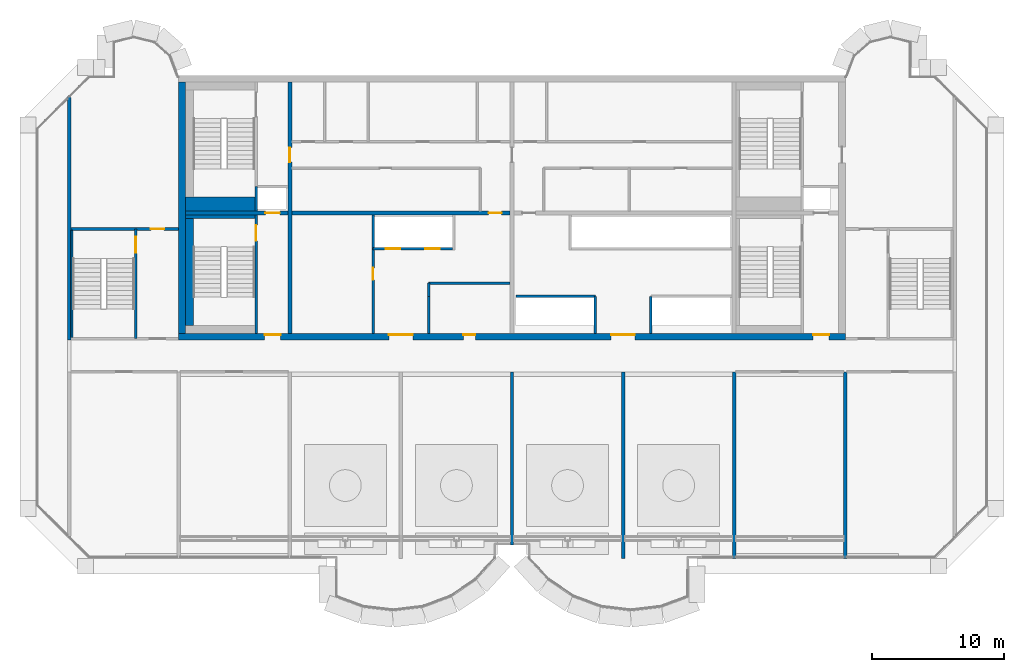
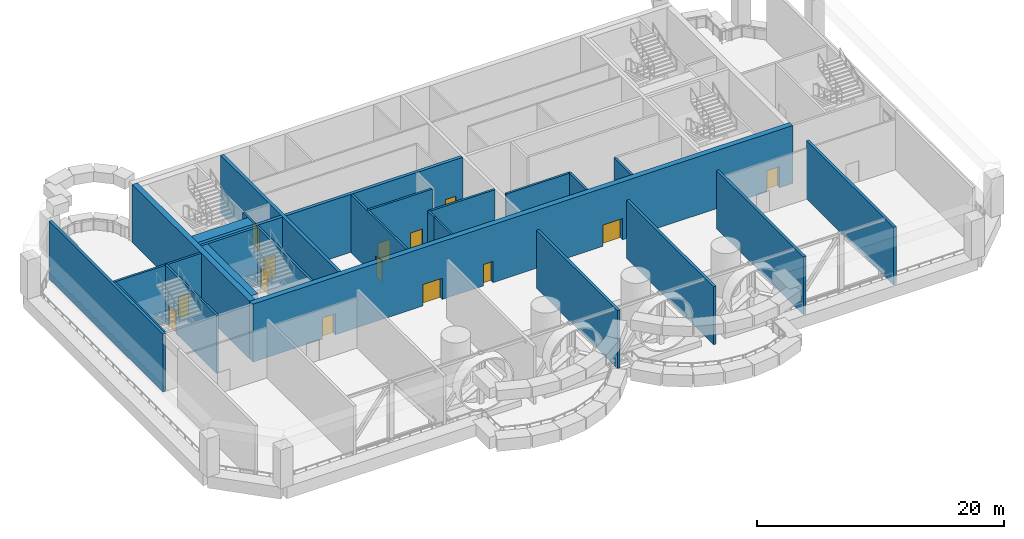
# One storey, part 3 of 15: 26 walls, 14 doors, 14 openings.
"""IFC4 building model written with IfcOpenShell, lengths in metres."""

from ifc_helpers import new_model, si_unit, direction, frame, frame_2d, origin, place, context, subcontext, project, spatial, rectangle, extrude, source, transform, mapped, material, layer, layer_set, type_object, element, fill, save


model = new_model("IFC4")

# Units and contexts
model_context = context("Model", 3, precision=1e-05, world=origin(), true_north=direction((0.0, 1.0)))
body_context = subcontext(model_context, "Body", "Model", "MODEL_VIEW")
ifc_project = project(units=[si_unit("LENGTHUNIT", "METRE"), si_unit("AREAUNIT", "SQUARE_METRE"), si_unit("VOLUMEUNIT", "CUBIC_METRE"), si_unit("PLANEANGLEUNIT", "RADIAN"), si_unit("MASSUNIT", "GRAM", prefix="KILO")], contexts=[model_context])

# Site, building, storey
site_placement = place(None, origin())
site = spatial("IfcSite", under=ifc_project, at=site_placement, CompositionType="ELEMENT")
building_placement = place(site_placement, origin())
building = spatial("IfcBuilding", under=site, at=building_placement, Name="Vanashikhar Sky Hotel", CompositionType="ELEMENT")
storey_placement = place(building_placement, frame((0.0, 0.0, 317.699951171875)))
storey = spatial("IfcBuildingStorey", under=building, at=storey_placement, Name="L76", CompositionType="ELEMENT", Elevation=317.699951171875)

# Wall, openings, doors
ifc_material_1 = material(Name="Concrete M50", Category="concrete")
ifc_layer_1 = layer(ifc_material_1, 0.5)
ifc_layer_set_1 = layer_set([ifc_layer_1], Name="RC core shell wall 500 Concrete M50")
wall_type_1 = type_object("IfcWallType", Name="RC core shell wall 500 Concrete M50", PredefinedType="SHEAR", material=ifc_layer_set_1)
shared_shape_1 = source(origin(), body_context, "Body", "SweptSolid", [
    extrude(rectangle(XDim=50.400146484375, YDim=0.5, at=frame_2d((25.2001953125, 0.0))), origin(), (0.0, 0.0, 1.0), 5.719970703125),
])
wall_1_placement = place(storey_placement, frame((25.199951171875, 22.25, 0.0), z_axis=(0.0, 0.0, 1.0), x_axis=(1.0, 0.0, 0.0)))
wall_1 = element("IfcWall", 1, at=wall_1_placement, inside=storey, type_object=wall_type_1, Name="KW-L76-KS", PredefinedType="SHEAR", context=body_context, shape_type="MappedRepresentation", body=[
    mapped(shared_shape_1, transform((0.0, 0.0, 0.0), scale=1.0)),
])
shared_shape_2 = source(origin(), body_context, "Body", "SweptSolid", [
    extrude(rectangle(XDim=1.800048828125, YDim=2.10009765625, at=frame_2d((0.89990234375, 1.050048828125))), frame((0.0, 0.260009765625, 0.0), z_axis=(0.0, -1.0, 0.0), x_axis=(1.0, 0.0, 0.0)), (0.0, 0.0, 1.0), 0.52001953125),
])
opening_1_placement = place(wall_1_placement, frame((15.89990234375, 0.0, 0.0)))
opening_1 = element("IfcOpeningElement", 2, at=opening_1_placement, cuts=wall_1, Name="Opening DC-3-A", PredefinedType="OPENING", context=body_context, shape_type="MappedRepresentation", body=[
    mapped(shared_shape_2, transform((0.0, 0.0, 0.0), scale=1.0)),
])
shared_shape_3 = source(origin(), body_context, "Body", "SweptSolid", [
    extrude(rectangle(XDim=0.89990234375, YDim=2.10009765625, at=frame_2d((0.449951171875, 1.050048828125))), frame((0.0, 0.260009765625, 0.0), z_axis=(0.0, -1.0, 0.0), x_axis=(1.0, 0.0, 0.0)), (0.0, 0.0, 1.0), 0.52001953125),
])
opening_2_placement = place(wall_1_placement, frame((21.52490234375, 0.0, 0.0)))
opening_2 = element("IfcOpeningElement", 3, at=opening_2_placement, cuts=wall_1, Name="Opening DC-4-A", PredefinedType="OPENING", context=body_context, shape_type="MappedRepresentation", body=[
    mapped(shared_shape_3, transform((0.0, 0.0, 0.0), scale=1.0)),
])
opening_3_placement = place(wall_1_placement, frame((32.699951171875, 0.0, 0.0)))
opening_3 = element("IfcOpeningElement", 4, at=opening_3_placement, cuts=wall_1, Name="Opening DC-3", PredefinedType="OPENING", context=body_context, shape_type="MappedRepresentation", body=[
    mapped(shared_shape_2, transform((0.0, 0.0, 0.0), scale=1.0)),
])
shared_shape_4 = source(origin(), body_context, "Body", "SweptSolid", [
    extrude(rectangle(XDim=1.199951171875, YDim=2.10009765625, at=frame_2d((0.60009765625, 1.050048828125))), frame((0.0, 0.260009765625, 0.0), z_axis=(0.0, -1.0, 0.0), x_axis=(1.0, 0.0, 0.0)), (0.0, 0.0, 1.0), 0.52001953125),
])
opening_4_placement = place(wall_1_placement, frame((6.5, 0.0, 0.0)))
opening_4 = element("IfcOpeningElement", 5, at=opening_4_placement, cuts=wall_1, Name="Opening DC-2", PredefinedType="OPENING", context=body_context, shape_type="MappedRepresentation", body=[
    mapped(shared_shape_4, transform((0.0, 0.0, 0.0), scale=1.0)),
])
opening_5_placement = place(wall_1_placement, frame((47.97509765625, 0.0, 0.0)))
opening_5 = element("IfcOpeningElement", 6, at=opening_5_placement, cuts=wall_1, Name="Opening DC-2", PredefinedType="OPENING", context=body_context, shape_type="MappedRepresentation", body=[
    mapped(shared_shape_4, transform((0.0, 0.0, 0.0), scale=1.0)),
])
ifc_material_2 = material(Name="Steel", Category="steel")
door_type_1 = type_object("IfcDoorType", Name="Firefighting lobby door 1200 FD120", OperationType="NOTDEFINED", PredefinedType="DOOR", material=ifc_material_2)
shared_shape_5 = source(origin(), body_context, "Body", "SweptSolid", [
    extrude(rectangle(XDim=1.199951171875, YDim=2.10009765625, at=frame_2d((0.60009765625, 1.050048828125))), frame((0.0, 0.1748046875, 0.0), z_axis=(0.0, -1.0, 0.0), x_axis=(1.0, 0.0, 0.0)), (0.0, 0.0, 1.0), 0.050048828125),
])
door_1_placement = place(opening_4_placement, origin())
door_1 = element("IfcDoor", 7, at=door_1_placement, inside=storey, type_object=door_type_1, Name="Firefighting lobby door 1200 FD120", OperationType="SINGLE_SWING_RIGHT", OverallHeight=2.10009765625, OverallWidth=1.199951171875, PredefinedType="DOOR", context=body_context, shape_type="MappedRepresentation", body=[
    mapped(shared_shape_5, transform((0.0, 0.0, 0.0), scale=1.0)),
])
fill(opening_4, door_1)
door_2_placement = place(opening_5_placement, origin())
door_2 = element("IfcDoor", 8, at=door_2_placement, inside=storey, type_object=door_type_1, Name="Firefighting lobby door 1200 FD120", OperationType="SINGLE_SWING_LEFT", OverallHeight=2.10009765625, OverallWidth=1.199951171875, PredefinedType="DOOR", context=body_context, shape_type="MappedRepresentation", body=[
    mapped(shared_shape_5, transform((0.0, 0.0, 0.0), scale=1.0)),
])
fill(opening_5, door_2)
door_type_2 = type_object("IfcDoorType", Name="Service door 900 FD60", OperationType="NOTDEFINED", PredefinedType="DOOR", material=ifc_material_2)
shared_shape_6 = source(origin(), body_context, "Body", "SweptSolid", [
    extrude(rectangle(XDim=0.89990234375, YDim=2.10009765625, at=frame_2d((0.449951171875, 1.050048828125))), frame((0.0, 0.1748046875, 0.0), z_axis=(0.0, -1.0, 0.0), x_axis=(1.0, 0.0, 0.0)), (0.0, 0.0, 1.0), 0.050048828125),
])
door_3_placement = place(opening_2_placement, origin())
door_3 = element("IfcDoor", 9, at=door_3_placement, inside=storey, type_object=door_type_2, Name="Service door 900 FD60", OperationType="SINGLE_SWING_RIGHT", OverallHeight=2.10009765625, OverallWidth=0.89990234375, PredefinedType="DOOR", context=body_context, shape_type="MappedRepresentation", body=[
    mapped(shared_shape_6, transform((0.0, 0.0, 0.0), scale=1.0)),
])
fill(opening_2, door_3)
ifc_material_3 = material(Name="Glass", Category="glass")
door_type_3 = type_object("IfcDoorType", Name="Lift lobby entrance door 1800 FD30S", OperationType="NOTDEFINED", PredefinedType="DOOR", material=ifc_material_3)
shared_shape_7 = source(origin(), body_context, "Body", "SweptSolid", [
    extrude(rectangle(XDim=1.800048828125, YDim=2.10009765625, at=frame_2d((0.89990234375, 1.050048828125))), frame((0.0, 0.1748046875, 0.0), z_axis=(0.0, -1.0, 0.0), x_axis=(1.0, 0.0, 0.0)), (0.0, 0.0, 1.0), 0.050048828125),
])
door_4_placement = place(opening_1_placement, origin())
door_4 = element("IfcDoor", 10, at=door_4_placement, inside=storey, type_object=door_type_3, Name="Lift lobby entrance door 1800 FD30S", OperationType="DOUBLE_DOOR_SINGLE_SWING", OverallHeight=2.10009765625, OverallWidth=1.800048828125, PredefinedType="DOOR", context=body_context, shape_type="MappedRepresentation", body=[
    mapped(shared_shape_7, transform((0.0, 0.0, 0.0), scale=1.0)),
])
fill(opening_1, door_4)
door_type_4 = type_object("IfcDoorType", Name="Lift lobby entrance door 1800 FD60", OperationType="NOTDEFINED", PredefinedType="DOOR", material=ifc_material_3)
door_5_placement = place(opening_3_placement, origin())
door_5 = element("IfcDoor", 11, at=door_5_placement, inside=storey, type_object=door_type_4, Name="Lift lobby entrance door 1800 FD60", OperationType="DOUBLE_DOOR_SINGLE_SWING", OverallHeight=2.10009765625, OverallWidth=1.800048828125, PredefinedType="DOOR", context=body_context, shape_type="MappedRepresentation", body=[
    mapped(shared_shape_7, transform((0.0, 0.0, 0.0), scale=1.0)),
])
fill(opening_3, door_5)

# Wall
shared_shape_8 = source(origin(), body_context, "Body", "SweptSolid", [
    extrude(rectangle(XDim=19.0, YDim=0.5, at=frame_2d((9.5, 0.0))), origin(), (0.0, 0.0, 1.0), 5.719970703125),
])
wall_2_placement = place(storey_placement, frame((25.449951171875, 22.5, 0.0), z_axis=(0.0, 0.0, 1.0), x_axis=(0.0, 1.0, 0.0)))
element("IfcWall", 12, at=wall_2_placement, inside=storey, type_object=wall_type_1, Name="KW-L76-KW", PredefinedType="SHEAR", context=body_context, shape_type="MappedRepresentation", body=[
    mapped(shared_shape_8, transform((0.0, 0.0, 0.0), scale=1.0)),
])

# Wall, opening, door
ifc_layer_2 = layer(ifc_material_1, 0.300048828125)
ifc_layer_set_2 = layer_set([ifc_layer_2], Name="RC core inner wall 300 Concrete M50")
wall_type_2 = type_object("IfcWallType", Name="RC core inner wall 300 Concrete M50", PredefinedType="SHEAR", material=ifc_layer_set_2)
shared_shape_9 = source(origin(), body_context, "Body", "SweptSolid", [
    extrude(rectangle(XDim=19.0, YDim=0.300048828125, at=frame_2d((9.5, 0.0))), origin(), (0.0, 0.0, 1.0), 5.719970703125),
])
wall_3_placement = place(storey_placement, frame((33.60009765625, 22.5, 0.0), z_axis=(0.0, 0.0, 1.0), x_axis=(0.0, 1.0, 0.0)))
wall_3 = element("IfcWall", 13, at=wall_3_placement, inside=storey, type_object=wall_type_2, Name="KW-L76-KX1", PredefinedType="SHEAR", context=body_context, shape_type="MappedRepresentation", body=[
    mapped(shared_shape_9, transform((0.0, 0.0, 0.0), scale=1.0)),
])
shared_shape_10 = source(origin(), body_context, "Body", "SweptSolid", [
    extrude(rectangle(XDim=1.10009765625, YDim=2.10009765625, at=frame_2d((0.550048828125, 1.050048828125))), frame((0.0, 0.16015625, 0.0), z_axis=(0.0, -1.0, 0.0), x_axis=(1.0, 0.0, 0.0)), (0.0, 0.0, 1.0), 0.320068359375),
])
opening_6_placement = place(wall_3_placement, frame((12.949951171875, 0.0, 0.0)))
opening_6 = element("IfcOpeningElement", 14, at=opening_6_placement, cuts=wall_3, Name="Opening DC-4-C", PredefinedType="OPENING", context=body_context, shape_type="MappedRepresentation", body=[
    mapped(shared_shape_10, transform((0.0, 0.0, 0.0), scale=1.0)),
])
door_type_5 = type_object("IfcDoorType", Name="Service door 1100 FD60", OperationType="NOTDEFINED", PredefinedType="DOOR", material=ifc_material_2)
shared_shape_11 = source(origin(), body_context, "Body", "SweptSolid", [
    extrude(rectangle(XDim=1.10009765625, YDim=2.10009765625, at=frame_2d((0.550048828125, 1.050048828125))), frame((0.0, 0.02490234375, 0.0), z_axis=(0.0, -1.0, 0.0), x_axis=(1.0, 0.0, 0.0)), (0.0, 0.0, 1.0), 0.050048828125),
])
door_6_placement = place(opening_6_placement, origin())
door_6 = element("IfcDoor", 15, at=door_6_placement, inside=storey, type_object=door_type_5, Name="Service door 1100 FD60", OperationType="SINGLE_SWING_LEFT", OverallHeight=2.10009765625, OverallWidth=1.10009765625, PredefinedType="DOOR", context=body_context, shape_type="MappedRepresentation", body=[
    mapped(shared_shape_11, transform((0.0, 0.0, 0.0), scale=1.0)),
])
fill(opening_6, door_6)

shared_shape_12 = source(origin(), body_context, "Body", "SweptSolid", [
    extrude(rectangle(XDim=7.75, YDim=0.300048828125, at=frame_2d((3.875, 0.0))), origin(), (0.0, 0.0, 1.0), 5.719970703125),
])
wall_4_placement = place(storey_placement, frame((25.699951171875, 31.60009765625, 0.0), z_axis=(0.0, 0.0, 1.0), x_axis=(1.0, 0.0, 0.0)))
wall_4 = element("IfcWall", 16, at=wall_4_placement, inside=storey, type_object=wall_type_2, Name="KW-L76-KY1", PredefinedType="SHEAR", context=body_context, shape_type="MappedRepresentation", body=[
    mapped(shared_shape_12, transform((0.0, 0.0, 0.0), scale=1.0)),
])
opening_7_placement = place(wall_4_placement, frame((6.050048828125, 0.0, 0.0)))
opening_7 = element("IfcOpeningElement", 17, at=opening_7_placement, cuts=wall_4, Name="Opening LD", PredefinedType="OPENING", context=body_context, shape_type="MappedRepresentation", body=[
    mapped(shared_shape_10, transform((0.0, 0.0, 0.0), scale=1.0)),
])
ifc_material_4 = material(Name="Stainless steel", Category="steel")
door_type_6 = type_object("IfcDoorType", Name="Lift landing door 1100", OperationType="NOTDEFINED", PredefinedType="DOOR", material=ifc_material_4)
door_7_placement = place(opening_7_placement, origin())
door_7 = element("IfcDoor", 18, at=door_7_placement, inside=storey, type_object=door_type_6, Name="Lift landing door 1100", OperationType="SLIDING_TO_RIGHT", OverallHeight=2.10009765625, OverallWidth=1.10009765625, PredefinedType="DOOR", context=body_context, shape_type="MappedRepresentation", body=[
    mapped(shared_shape_11, transform((0.0, 0.0, 0.0), scale=1.0)),
])
fill(opening_7, door_7)

shared_shape_13 = source(origin(), body_context, "Body", "SweptSolid", [
    extrude(rectangle(XDim=16.5, YDim=0.300048828125, at=frame_2d((8.25, 0.0))), origin(), (0.0, 0.0, 1.0), 5.719970703125),
])
wall_5_placement = place(storey_placement, frame((33.75, 31.60009765625, 0.0), z_axis=(0.0, 0.0, 1.0), x_axis=(1.0, 0.0, 0.0)))
wall_5 = element("IfcWall", 19, at=wall_5_placement, inside=storey, type_object=wall_type_2, Name="KW-L76-KY2", PredefinedType="SHEAR", context=body_context, shape_type="MappedRepresentation", body=[
    mapped(shared_shape_13, transform((0.0, 0.0, 0.0), scale=1.0)),
])
shared_shape_14 = source(origin(), body_context, "Body", "SweptSolid", [
    extrude(rectangle(XDim=1.0, YDim=2.10009765625, at=frame_2d((0.5, 1.050048828125))), frame((0.0, 0.16015625, 0.0), z_axis=(0.0, -1.0, 0.0), x_axis=(1.0, 0.0, 0.0)), (0.0, 0.0, 1.0), 0.320068359375),
])
opening_8_placement = place(wall_5_placement, frame((14.875, 0.0, 0.0)))
opening_8 = element("IfcOpeningElement", 20, at=opening_8_placement, cuts=wall_5, Name="Opening DC-4", PredefinedType="OPENING", context=body_context, shape_type="MappedRepresentation", body=[
    mapped(shared_shape_14, transform((0.0, 0.0, 0.0), scale=1.0)),
])
door_type_7 = type_object("IfcDoorType", Name="Service door 1000 FD60", OperationType="NOTDEFINED", PredefinedType="DOOR", material=ifc_material_2)
shared_shape_15 = source(origin(), body_context, "Body", "SweptSolid", [
    extrude(rectangle(XDim=1.0, YDim=2.10009765625, at=frame_2d((0.5, 1.050048828125))), frame((0.0, 0.02490234375, 0.0), z_axis=(0.0, -1.0, 0.0), x_axis=(1.0, 0.0, 0.0)), (0.0, 0.0, 1.0), 0.050048828125),
])
door_8_placement = place(opening_8_placement, origin())
door_8 = element("IfcDoor", 21, at=door_8_placement, inside=storey, type_object=door_type_7, Name="Service door 1000 FD60", OperationType="SINGLE_SWING_LEFT", OverallHeight=2.10009765625, OverallWidth=1.0, PredefinedType="DOOR", context=body_context, shape_type="MappedRepresentation", body=[
    mapped(shared_shape_15, transform((0.0, 0.0, 0.0), scale=1.0)),
])
fill(opening_8, door_8)

# Walls
ifc_layer_3 = layer(ifc_material_1, 0.25)
ifc_layer_set_3 = layer_set([ifc_layer_3], Name="RC shear wall 250 Concrete M50")
wall_type_3 = type_object("IfcWallType", Name="RC shear wall 250 Concrete M50", PredefinedType="SHEAR", material=ifc_layer_set_3)
shared_shape_16 = source(origin(), body_context, "Body", "SweptSolid", [
    extrude(rectangle(XDim=18.39990234375, YDim=0.25, at=frame_2d((9.199951171875, 0.0))), origin(), (0.0, 0.0, 1.0), 5.719970703125),
])
wall_6_placement = place(storey_placement, frame((16.925048828125, 22.0, 0.0), z_axis=(0.0, 0.0, 1.0), x_axis=(0.0, 1.0, 0.0)))
element("IfcWall", 22, at=wall_6_placement, inside=storey, type_object=wall_type_3, Name="CW-L76-XW03-2", PredefinedType="SHEAR", context=body_context, shape_type="MappedRepresentation", body=[
    mapped(shared_shape_16, transform((0.0, 0.0, 0.0), scale=1.0)),
])
shared_shape_17 = source(origin(), body_context, "Body", "SweptSolid", [
    extrude(rectangle(XDim=14.10009765625, YDim=0.25, at=frame_2d((7.050048828125, 0.0))), origin(), (0.0, 0.0, 1.0), 5.719970703125),
])
for number, where, z_axis, x_axis, name in (
    (23, (58.800048828125, 5.5, 0.0), (0.0, 0.0, 1.0), (0.0, 1.0, 0.0), "CW-L76-XW08-1"),
    (24, (67.199951171875, 5.5, 0.0), (0.0, 0.0, 1.0), (0.0, 1.0, 0.0), "CW-L76-XW09-1"),
    (25, (75.60009765625, 5.5, 0.0), (0.0, 0.0, 1.0), (0.0, 1.0, 0.0), "CW-L76-XW10-1"),
):
    element("IfcWall", number, at=place(storey_placement, frame(where, z_axis=z_axis, x_axis=x_axis)), inside=storey, type_object=wall_type_3, Name=name, PredefinedType="SHEAR", context=body_context, shape_type="MappedRepresentation", body=[
        mapped(shared_shape_17, transform((0.0, 0.0, 0.0), scale=1.0)),
    ])
shared_shape_18 = source(origin(), body_context, "Body", "SweptSolid", [
    extrude(rectangle(XDim=13.10009765625, YDim=0.25, at=frame_2d((6.550048828125, 0.0))), origin(), (0.0, 0.0, 1.0), 5.719970703125),
])
wall_7_placement = place(storey_placement, frame((50.39990234375, 6.5, 0.0), z_axis=(0.0, 0.0, 1.0), x_axis=(0.0, 1.0, 0.0)))
element("IfcWall", 26, at=wall_7_placement, inside=storey, type_object=wall_type_3, Name="CW-L76-XW07-1", PredefinedType="SHEAR", context=body_context, shape_type="MappedRepresentation", body=[
    mapped(shared_shape_18, transform((0.0, 0.0, 0.0), scale=1.0)),
])

# Wall, openings, doors
ifc_material_5 = material(Name="Concrete M40", Category="concrete")
ifc_layer_4 = layer(ifc_material_5, 0.199951171875)
ifc_layer_set_4 = layer_set([ifc_layer_4], Name="Shaft wall 200")
wall_type_4 = type_object("IfcWallType", Name="Shaft wall 200", PredefinedType="SOLIDWALL", material=ifc_layer_set_4)
shared_shape_19 = source(origin(), body_context, "Body", "SweptSolid", [
    extrude(rectangle(XDim=6.0, YDim=0.199951171875, at=frame_2d((3.0, 0.0))), origin(), (0.0, 0.0, 1.0), 5.719970703125),
])
wall_8_placement = place(storey_placement, frame((39.89990234375, 28.89990234375, 0.0), z_axis=(0.0, 0.0, 1.0), x_axis=(1.0, 0.0, 0.0)))
wall_8 = element("IfcWall", 27, at=wall_8_placement, inside=storey, type_object=wall_type_4, Name="Shaft wall 200", PredefinedType="SOLIDWALL", context=body_context, shape_type="MappedRepresentation", body=[
    mapped(shared_shape_19, transform((0.0, 0.0, 0.0), scale=1.0)),
])
shared_shape_20 = source(origin(), body_context, "Body", "SweptSolid", [
    extrude(rectangle(XDim=1.10009765625, YDim=2.10009765625, at=frame_2d((0.550048828125, 1.050048828125))), frame((0.0, 0.10986328125, 0.0), z_axis=(0.0, -1.0, 0.0), x_axis=(1.0, 0.0, 0.0)), (0.0, 0.0, 1.0), 0.219970703125),
])
opening_9_placement = place(wall_8_placement, frame((0.949951171875, 0.0, 0.0)))
opening_9 = element("IfcOpeningElement", 28, at=opening_9_placement, cuts=wall_8, Name="Opening LD", PredefinedType="OPENING", context=body_context, shape_type="MappedRepresentation", body=[
    mapped(shared_shape_20, transform((0.0, 0.0, 0.0), scale=1.0)),
])
opening_10_placement = place(wall_8_placement, frame((3.949951171875, 0.0, 0.0)))
opening_10 = element("IfcOpeningElement", 29, at=opening_10_placement, cuts=wall_8, Name="Opening LD", PredefinedType="OPENING", context=body_context, shape_type="MappedRepresentation", body=[
    mapped(shared_shape_20, transform((0.0, 0.0, 0.0), scale=1.0)),
])
door_9_placement = place(opening_9_placement, origin())
door_9 = element("IfcDoor", 30, at=door_9_placement, inside=storey, type_object=door_type_6, Name="Lift landing door 1100", OperationType="SLIDING_TO_LEFT", OverallHeight=2.10009765625, OverallWidth=1.10009765625, PredefinedType="DOOR", context=body_context, shape_type="MappedRepresentation", body=[
    mapped(shared_shape_11, transform((0.0, 0.0, 0.0), scale=1.0)),
])
fill(opening_9, door_9)
door_10_placement = place(opening_10_placement, origin())
door_10 = element("IfcDoor", 31, at=door_10_placement, inside=storey, type_object=door_type_6, Name="Lift landing door 1100", OperationType="SLIDING_TO_RIGHT", OverallHeight=2.10009765625, OverallWidth=1.10009765625, PredefinedType="DOOR", context=body_context, shape_type="MappedRepresentation", body=[
    mapped(shared_shape_11, transform((0.0, 0.0, 0.0), scale=1.0)),
])
fill(opening_10, door_10)

# Walls
wall_9_placement = place(storey_placement, frame((56.699951171875, 25.300048828125, 0.0), z_axis=(0.0, 0.0, 1.0), x_axis=(-1.0, 0.0, 0.0)))
element("IfcWall", 32, at=wall_9_placement, inside=storey, type_object=wall_type_4, Name="Shaft wall 200", PredefinedType="SOLIDWALL", context=body_context, shape_type="MappedRepresentation", body=[
    mapped(shared_shape_19, transform((0.0, 0.0, 0.0), scale=1.0)),
])
ifc_material_6 = material(Name="Gypsum board partition")
ifc_layer_5 = layer(ifc_material_6, 0.14990234375)
ifc_layer_set_5 = layer_set([ifc_layer_5], Name="Service partition 150")
wall_type_5 = type_object("IfcWallType", Name="Service partition 150", PredefinedType="PARTITIONING", material=ifc_layer_set_5)
shared_shape_21 = source(origin(), body_context, "Body", "SweptSolid", [
    extrude(rectangle(XDim=1.0, YDim=0.199951171875, at=frame_2d((0.5, 0.0))), origin(), (0.0, 0.0, 1.0), 5.719970703125),
])
wall_10_placement = place(storey_placement, frame((44.10009765625, 25.300048828125, 0.0), z_axis=(0.0, 0.0, 1.0), x_axis=(0.0, 1.0, 0.0)))
element("IfcWall", 33, at=wall_10_placement, inside=storey, type_object=wall_type_5, Name="Service partition 150", PredefinedType="PARTITIONING", context=body_context, shape_type="MappedRepresentation", body=[
    mapped(shared_shape_21, transform((0.0, 0.0, 0.0), scale=1.0)),
])

# Wall, opening, door
ifc_layer_6 = layer(ifc_material_1, 0.199951171875)
ifc_layer_set_6 = layer_set([ifc_layer_6], Name="Stair wall 200")
wall_type_6 = type_object("IfcWallType", Name="Stair wall 200", PredefinedType="SOLIDWALL", material=ifc_layer_set_6)
shared_shape_22 = source(origin(), body_context, "Body", "SweptSolid", [
    extrude(rectangle(XDim=8.2998046875, YDim=0.199951171875, at=frame_2d((4.14990234375, 0.0))), origin(), (0.0, 0.0, 1.0), 5.719970703125),
])
wall_11_placement = place(storey_placement, frame((21.949951171875, 22.10009765625, 0.0), z_axis=(0.0, 0.0, 1.0), x_axis=(0.0, 1.0, 0.0)))
wall_11 = element("IfcWall", 34, at=wall_11_placement, inside=storey, type_object=wall_type_6, Name="Stair wall 200", PredefinedType="SOLIDWALL", context=body_context, shape_type="MappedRepresentation", body=[
    mapped(shared_shape_22, transform((0.0, 0.0, 0.0), scale=1.0)),
])
shared_shape_23 = source(origin(), body_context, "Body", "SweptSolid", [
    extrude(rectangle(XDim=1.199951171875, YDim=2.10009765625, at=frame_2d((0.60009765625, 1.050048828125))), frame((0.0, 0.10986328125, 0.0), z_axis=(0.0, -1.0, 0.0), x_axis=(1.0, 0.0, 0.0)), (0.0, 0.0, 1.0), 0.219970703125),
])
opening_11_placement = place(wall_11_placement, frame((6.5, 0.0, 0.0)))
opening_11 = element("IfcOpeningElement", 35, at=opening_11_placement, cuts=wall_11, Name="Opening DC-1", PredefinedType="OPENING", context=body_context, shape_type="MappedRepresentation", body=[
    mapped(shared_shape_23, transform((0.0, 0.0, 0.0), scale=1.0)),
])
door_type_8 = type_object("IfcDoorType", Name="Stair door 1200 FD120", OperationType="NOTDEFINED", PredefinedType="DOOR", material=ifc_material_2)
shared_shape_24 = source(origin(), body_context, "Body", "SweptSolid", [
    extrude(rectangle(XDim=1.199951171875, YDim=2.10009765625, at=frame_2d((0.60009765625, 1.050048828125))), frame((0.0, 0.02490234375, 0.0), z_axis=(0.0, -1.0, 0.0), x_axis=(1.0, 0.0, 0.0)), (0.0, 0.0, 1.0), 0.050048828125),
])
door_11_placement = place(opening_11_placement, origin())
door_11 = element("IfcDoor", 36, at=door_11_placement, inside=storey, type_object=door_type_8, Name="Stair door 1200 FD120", OperationType="SINGLE_SWING_LEFT", OverallHeight=2.10009765625, OverallWidth=1.199951171875, PredefinedType="DOOR", context=body_context, shape_type="MappedRepresentation", body=[
    mapped(shared_shape_24, transform((0.0, 0.0, 0.0), scale=1.0)),
])
fill(opening_11, door_11)

shared_shape_25 = source(origin(), body_context, "Body", "SweptSolid", [
    extrude(rectangle(XDim=8.949951171875, YDim=0.199951171875, at=frame_2d((4.47509765625, 0.0))), origin(), (0.0, 0.0, 1.0), 5.719970703125),
])
wall_12_placement = place(storey_placement, frame((39.89990234375, 22.5, 0.0), z_axis=(0.0, 0.0, 1.0), x_axis=(0.0, 1.0, 0.0)))
wall_12 = element("IfcWall", 37, at=wall_12_placement, inside=storey, type_object=wall_type_5, Name="Service partition 150", PredefinedType="PARTITIONING", context=body_context, shape_type="MappedRepresentation", body=[
    mapped(shared_shape_25, transform((0.0, 0.0, 0.0), scale=1.0)),
])
shared_shape_26 = source(origin(), body_context, "Body", "SweptSolid", [
    extrude(rectangle(XDim=0.89990234375, YDim=2.10009765625, at=frame_2d((0.449951171875, 1.050048828125))), frame((0.0, 0.10986328125, 0.0), z_axis=(0.0, -1.0, 0.0), x_axis=(1.0, 0.0, 0.0)), (0.0, 0.0, 1.0), 0.219970703125),
])
opening_12_placement = place(wall_12_placement, frame((4.050048828125, 0.0, 0.0)))
opening_12 = element("IfcOpeningElement", 38, at=opening_12_placement, cuts=wall_12, Name="Opening DC-4-A", PredefinedType="OPENING", context=body_context, shape_type="MappedRepresentation", body=[
    mapped(shared_shape_26, transform((0.0, 0.0, 0.0), scale=1.0)),
])
shared_shape_27 = source(origin(), body_context, "Body", "SweptSolid", [
    extrude(rectangle(XDim=0.89990234375, YDim=2.10009765625, at=frame_2d((0.449951171875, 1.050048828125))), frame((0.0, 0.02490234375, 0.0), z_axis=(0.0, -1.0, 0.0), x_axis=(1.0, 0.0, 0.0)), (0.0, 0.0, 1.0), 0.050048828125),
])
door_12_placement = place(opening_12_placement, origin())
door_12 = element("IfcDoor", 39, at=door_12_placement, inside=storey, type_object=door_type_2, Name="Service door 900 FD60", OperationType="SINGLE_SWING_RIGHT", OverallHeight=2.10009765625, OverallWidth=0.89990234375, PredefinedType="DOOR", context=body_context, shape_type="MappedRepresentation", body=[
    mapped(shared_shape_27, transform((0.0, 0.0, 0.0), scale=1.0)),
])
fill(opening_12, door_12)

# Walls
shared_shape_28 = source(origin(), body_context, "Body", "SweptSolid", [
    extrude(rectangle(XDim=2.800048828125, YDim=0.199951171875, at=frame_2d((1.39990234375, 0.0))), origin(), (0.0, 0.0, 1.0), 5.719970703125),
])
wall_13_placement = place(storey_placement, frame((44.10009765625, 22.5, 0.0), z_axis=(0.0, 0.0, 1.0), x_axis=(0.0, 1.0, 0.0)))
element("IfcWall", 40, at=wall_13_placement, inside=storey, type_object=wall_type_5, Name="Service partition 150", PredefinedType="PARTITIONING", context=body_context, shape_type="MappedRepresentation", body=[
    mapped(shared_shape_28, transform((0.0, 0.0, 0.0), scale=1.0)),
])
for number, where, z_axis, x_axis, name in (
    (41, (60.89990234375, 22.5, 0.0), (0.0, 0.0, 1.0), (0.0, 1.0, 0.0), "Shaft wall 200"),
    (42, (56.699951171875, 22.5, 0.0), (0.0, 0.0, 1.0), (0.0, 1.0, 0.0), "Shaft wall 200"),
):
    element("IfcWall", number, at=place(storey_placement, frame(where, z_axis=z_axis, x_axis=x_axis)), inside=storey, type_object=wall_type_4, Name=name, PredefinedType="SOLIDWALL", context=body_context, shape_type="MappedRepresentation", body=[
        mapped(shared_shape_28, transform((0.0, 0.0, 0.0), scale=1.0)),
    ])
shared_shape_29 = source(origin(), body_context, "Body", "SweptSolid", [
    extrude(rectangle(XDim=6.14990234375, YDim=0.199951171875, at=frame_2d((3.074951171875, 0.0))), origin(), (0.0, 0.0, 1.0), 5.719970703125),
])
wall_14_placement = place(storey_placement, frame((44.10009765625, 26.300048828125, 0.0), z_axis=(0.0, 0.0, 1.0), x_axis=(1.0, 0.0, 0.0)))
element("IfcWall", 43, at=wall_14_placement, inside=storey, type_object=wall_type_5, Name="Service partition 150", PredefinedType="PARTITIONING", context=body_context, shape_type="MappedRepresentation", body=[
    mapped(shared_shape_29, transform((0.0, 0.0, 0.0), scale=1.0)),
])

# Wall, opening, door
shared_shape_30 = source(origin(), body_context, "Body", "SweptSolid", [
    extrude(rectangle(XDim=8.949951171875, YDim=0.199951171875, at=frame_2d((4.47509765625, 0.0))), origin(), (0.0, 0.0, 1.0), 5.719970703125),
])
wall_15_placement = place(storey_placement, frame((31.050048828125, 22.5, 0.0), z_axis=(0.0, 0.0, 1.0), x_axis=(0.0, 1.0, 0.0)))
wall_15 = element("IfcWall", 44, at=wall_15_placement, inside=storey, type_object=wall_type_6, Name="Stair wall 200", PredefinedType="SOLIDWALL", context=body_context, shape_type="MappedRepresentation", body=[
    mapped(shared_shape_30, transform((0.0, 0.0, 0.0), scale=1.0)),
])
opening_13_placement = place(wall_15_placement, frame((7.0, 0.0, 0.0)))
opening_13 = element("IfcOpeningElement", 45, at=opening_13_placement, cuts=wall_15, Name="Opening DC-1", PredefinedType="OPENING", context=body_context, shape_type="MappedRepresentation", body=[
    mapped(shared_shape_23, transform((0.0, 0.0, 0.0), scale=1.0)),
])
door_13_placement = place(opening_13_placement, origin())
door_13 = element("IfcDoor", 46, at=door_13_placement, inside=storey, type_object=door_type_8, Name="Stair door 1200 FD120", OperationType="SINGLE_SWING_LEFT", OverallHeight=2.10009765625, OverallWidth=1.199951171875, PredefinedType="DOOR", context=body_context, shape_type="MappedRepresentation", body=[
    mapped(shared_shape_24, transform((0.0, 0.0, 0.0), scale=1.0)),
])
fill(opening_13, door_13)

# Wall
shared_shape_31 = source(origin(), body_context, "Body", "SweptSolid", [
    extrude(rectangle(XDim=1.85009765625, YDim=0.199951171875, at=frame_2d((0.925048828125, 0.0))), origin(), (0.0, 0.0, 1.0), 5.719970703125),
])
wall_16_placement = place(storey_placement, frame((31.050048828125, 31.75, 0.0), z_axis=(0.0, 0.0, 1.0), x_axis=(0.0, 1.0, 0.0)))
element("IfcWall", 47, at=wall_16_placement, inside=storey, type_object=wall_type_4, Name="Shaft wall 200", PredefinedType="SOLIDWALL", context=body_context, shape_type="MappedRepresentation", body=[
    mapped(shared_shape_31, transform((0.0, 0.0, 0.0), scale=1.0)),
])

# Wall, opening, door
shared_shape_32 = source(origin(), body_context, "Body", "SweptSolid", [
    extrude(rectangle(XDim=8.14990234375, YDim=0.199951171875, at=frame_2d((4.074951171875, 0.0))), origin(), (0.0, 0.0, 1.0), 5.719970703125),
])
wall_17_placement = place(storey_placement, frame((17.050048828125, 30.39990234375, 0.0), z_axis=(0.0, 0.0, 1.0), x_axis=(1.0, 0.0, 0.0)))
wall_17 = element("IfcWall", 48, at=wall_17_placement, inside=storey, type_object=wall_type_6, Name="Stair wall 200", PredefinedType="SOLIDWALL", context=body_context, shape_type="MappedRepresentation", body=[
    mapped(shared_shape_32, transform((0.0, 0.0, 0.0), scale=1.0)),
])
shared_shape_33 = source(origin(), body_context, "Body", "SweptSolid", [
    extrude(rectangle(XDim=1.0, YDim=2.10009765625, at=frame_2d((0.5, 1.050048828125))), frame((0.0, 0.10986328125, 0.0), z_axis=(0.0, -1.0, 0.0), x_axis=(1.0, 0.0, 0.0)), (0.0, 0.0, 1.0), 0.219970703125),
])
opening_14_placement = place(wall_17_placement, frame((6.050048828125, 0.0, 0.0)))
opening_14 = element("IfcOpeningElement", 49, at=opening_14_placement, cuts=wall_17, Name="Opening DC-6", PredefinedType="OPENING", context=body_context, shape_type="MappedRepresentation", body=[
    mapped(shared_shape_33, transform((0.0, 0.0, 0.0), scale=1.0)),
])
door_type_9 = type_object("IfcDoorType", Name="Pocket door 1000 FD60", OperationType="NOTDEFINED", PredefinedType="DOOR", material=ifc_material_2)
door_14_placement = place(opening_14_placement, origin())
door_14 = element("IfcDoor", 50, at=door_14_placement, inside=storey, type_object=door_type_9, Name="Pocket door 1000 FD60", OperationType="SINGLE_SWING_LEFT", OverallHeight=2.10009765625, OverallWidth=1.0, PredefinedType="DOOR", context=body_context, shape_type="MappedRepresentation", body=[
    mapped(shared_shape_15, transform((0.0, 0.0, 0.0), scale=1.0)),
])
fill(opening_14, door_14)

# Walls
ifc_layer_7 = layer(ifc_material_1, 0.25)
ifc_layer_set_7 = layer_set([ifc_layer_7], Name="Stair infill wall 250")
wall_type_7 = type_object("IfcWallType", Name="Stair infill wall 250", PredefinedType="SOLIDWALL", material=ifc_layer_set_7)
shared_shape_34 = source(origin(), body_context, "Body", "SweptSolid", [
    extrude(rectangle(XDim=5.25, YDim=0.25, at=frame_2d((2.625, 0.0))), origin(), (0.0, 0.0, 1.0), 5.719970703125),
])
wall_18_placement = place(storey_placement, frame((25.699951171875, 31.324951171875, 0.0), z_axis=(0.0, 0.0, 1.0), x_axis=(1.0, 0.0, 0.0)))
element("IfcWall", 51, at=wall_18_placement, inside=storey, type_object=wall_type_7, Name="Stair infill wall 250", PredefinedType="SOLIDWALL", context=body_context, shape_type="MappedRepresentation", body=[
    mapped(shared_shape_34, transform((0.0, 0.0, 0.0), scale=1.0)),
])
ifc_layer_8 = layer(ifc_material_1, 0.60009765625)
ifc_layer_set_8 = layer_set([ifc_layer_8], Name="Stair infill wall 600")
wall_type_8 = type_object("IfcWallType", Name="Stair infill wall 600", PredefinedType="SOLIDWALL", material=ifc_layer_set_8)
shared_shape_35 = source(origin(), body_context, "Body", "SweptSolid", [
    extrude(rectangle(XDim=8.099853515625, YDim=0.60009765625, at=frame_2d((4.0498046875, 0.0))), origin(), (0.0, 0.0, 1.0), 5.719970703125),
])
wall_19_placement = place(storey_placement, frame((26.0, 23.10009765625, 0.0), z_axis=(0.0, 0.0, 1.0), x_axis=(0.0, 1.0, 0.0)))
element("IfcWall", 52, at=wall_19_placement, inside=storey, type_object=wall_type_8, Name="Stair infill wall 600", PredefinedType="SOLIDWALL", context=body_context, shape_type="MappedRepresentation", body=[
    mapped(shared_shape_35, transform((0.0, 0.0, 0.0), scale=1.0)),
])
ifc_layer_9 = layer(ifc_material_1, 0.14990234375)
ifc_layer_set_9 = layer_set([ifc_layer_9], Name="Stair infill wall 150")
wall_type_9 = type_object("IfcWallType", Name="Stair infill wall 150", PredefinedType="SOLIDWALL", material=ifc_layer_set_9)
shared_shape_36 = source(origin(), body_context, "Body", "SweptSolid", [
    extrude(rectangle(XDim=8.10009765625, YDim=0.14990234375, at=frame_2d((4.050048828125, 0.0))), origin(), (0.0, 0.0, 1.0), 5.719970703125),
])
wall_20_placement = place(storey_placement, frame((17.125, 22.199951171875, 0.0), z_axis=(0.0, 0.0, 1.0), x_axis=(0.0, 1.0, 0.0)))
element("IfcWall", 53, at=wall_20_placement, inside=storey, type_object=wall_type_9, Name="Stair infill wall 150", PredefinedType="SOLIDWALL", context=body_context, shape_type="MappedRepresentation", body=[
    mapped(shared_shape_36, transform((0.0, 0.0, 0.0), scale=1.0)),
])
ifc_layer_10 = layer(ifc_material_1, 1.050048828125)
ifc_layer_set_10 = layer_set([ifc_layer_10], Name="Stair infill wall 1050")
wall_type_10 = type_object("IfcWallType", Name="Stair infill wall 1050", PredefinedType="SOLIDWALL", material=ifc_layer_set_10)
shared_shape_37 = source(origin(), body_context, "Body", "SweptSolid", [
    extrude(rectangle(XDim=5.25, YDim=1.050048828125, at=frame_2d((2.625, 0.0))), origin(), (0.0, 0.0, 1.0), 5.719970703125),
])
wall_21_placement = place(storey_placement, frame((25.699951171875, 32.27490234375, 0.0), z_axis=(0.0, 0.0, 1.0), x_axis=(1.0, 0.0, 0.0)))
element("IfcWall", 54, at=wall_21_placement, inside=storey, type_object=wall_type_10, Name="Stair infill wall 1050", PredefinedType="SOLIDWALL", context=body_context, shape_type="MappedRepresentation", body=[
    mapped(shared_shape_37, transform((0.0, 0.0, 0.0), scale=1.0)),
])

save(model, "model.ifc")
